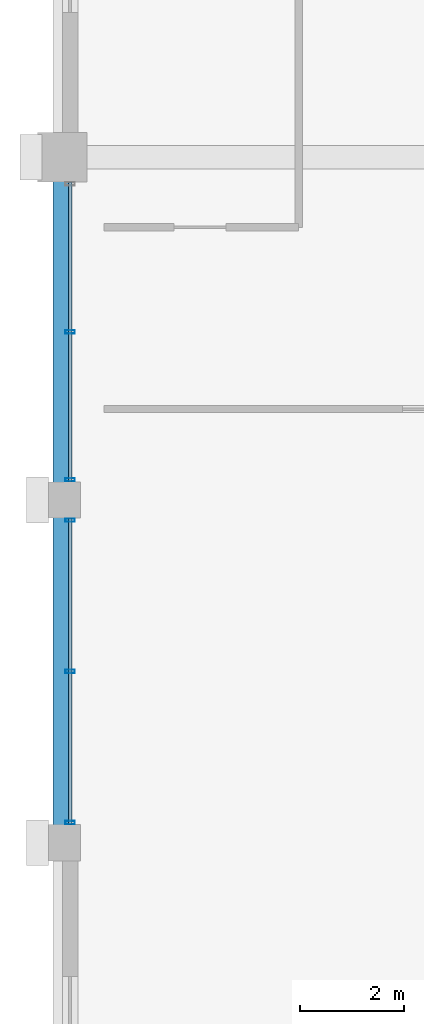
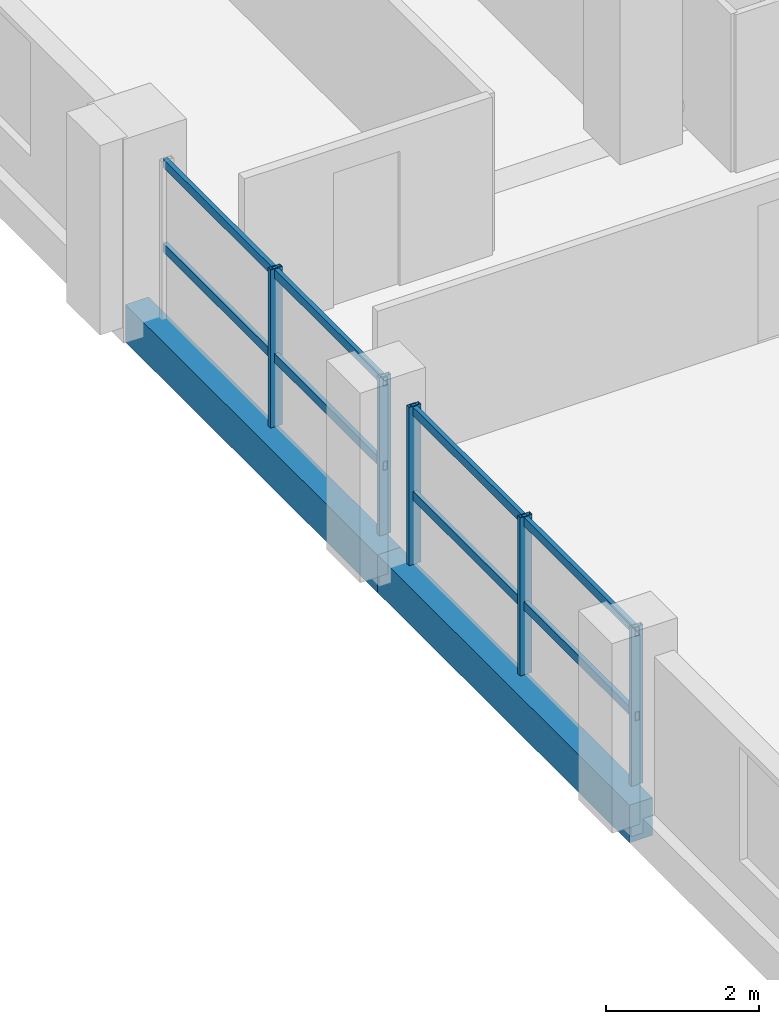
# One storey, part 7 of 25: 9 members, 2 beams, 2 elements without a shape of their own.
"""IFC4 building model written with IfcOpenShell, lengths in metres."""

import ifcopenshell
import ifcopenshell.guid

model = None  # the IFC model being written
_history = None  # IfcOwnerHistory: only IFC2X3 demands one
_inside = {}  # id of a spatial element -> (the spatial element, [elements in it])
_under = {}  # id of a project, library or spatial element -> (it, [spatial elements below it])
_declared = {}  # id of a project -> (the project, [libraries it declares])
_typed = {}  # id of a type object -> (the type object, [elements of that type])
_made_of = {}  # id of a material, layer set ... -> (it, [elements and type objects made of it])


def new_model(schema):
    """Start an empty IFC model of exactly this schema.

    Asked for "IFC4X3", IfcOpenShell would pick the latest addendum, in which some entities
    have other attributes; the version numbers below select the first issue.
    IFC2X3 requires an IfcOwnerHistory on every rooted entity: one is made here for all.
    """
    global model, _history
    if schema == "IFC4X3":
        model = ifcopenshell.file(schema_version=(4, 3, 0, 0))
    else:
        model = ifcopenshell.file(schema=schema)
    _inside.clear()
    _under.clear()
    _declared.clear()
    _typed.clear()
    _made_of.clear()
    _history = None
    if model.schema == "IFC2X3":
        org = make("IfcOrganization", Name="unknown")
        user = make(
            "IfcPersonAndOrganization",
            ThePerson=make("IfcPerson", FamilyName="unknown"),
            TheOrganization=org,
        )
        app = make(
            "IfcApplication",
            ApplicationDeveloper=org,
            Version="unknown",
            ApplicationFullName="unknown",
            ApplicationIdentifier="unknown",
        )
        _history = make(
            "IfcOwnerHistory",
            OwningUser=user,
            OwningApplication=app,
            ChangeAction="ADDED",
            CreationDate=0,
        )
    return model


def make(cls, **values):
    """One entity of the class cls with the attributes given. An attribute that is None is left unset."""
    return model.create_entity(
        cls, **{name: value for name, value in values.items() if value is not None}
    )


def rooted(cls, **values):
    """An entity with a GlobalId (a new one), such as an element, a storey or a relation."""
    return make(cls, GlobalId=ifcopenshell.guid.new(), OwnerHistory=_history, **values)


def si_unit(unit_type, name, prefix=None):
    """IfcSIUnit, for example si_unit("LENGTHUNIT", "METRE", prefix="MILLI")."""
    return make("IfcSIUnit", UnitType=unit_type, Prefix=prefix, Name=name)


def assignment(units):
    """IfcUnitAssignment: the units of a project."""
    return None if units is None else make("IfcUnitAssignment", Units=units)


def point(xyz):
    """IfcCartesianPoint."""
    return None if xyz is None else make("IfcCartesianPoint", Coordinates=xyz)


def direction(xyz):
    """IfcDirection."""
    return None if xyz is None else make("IfcDirection", DirectionRatios=xyz)


def frame(location, z_axis=None, x_axis=None):
    """IfcAxis2Placement3D, a coordinate frame: its origin and axes. An axis left out is left unset."""
    return make(
        "IfcAxis2Placement3D",
        Location=point(location),
        Axis=direction(z_axis),
        RefDirection=direction(x_axis),
    )


def frame_2d(location, x_axis=None):
    """IfcAxis2Placement2D, a coordinate frame in the plane: its origin and x axis."""
    return make(
        "IfcAxis2Placement2D", Location=point(location), RefDirection=direction(x_axis)
    )


def origin():
    """The frame at (0, 0, 0) with its axes left unset."""
    return frame((0.0, 0.0, 0.0))


def origin_2d():
    """The frame at (0, 0) in the plane with its x axis left unset."""
    return frame_2d((0.0, 0.0))


def place(relative_to, where):
    """IfcLocalPlacement: puts the frame where relative to a parent placement (None: the world)."""
    return make(
        "IfcLocalPlacement", PlacementRelTo=relative_to, RelativePlacement=where
    )


def context(
    kind, dimensions, precision=None, world=None, true_north=None, identifier=None
):
    """IfcGeometricRepresentationContext, for example the 3D "Model" context."""
    return make(
        "IfcGeometricRepresentationContext",
        ContextIdentifier=identifier,
        ContextType=kind,
        CoordinateSpaceDimension=dimensions,
        Precision=precision,
        WorldCoordinateSystem=world,
        TrueNorth=true_north,
    )


def subcontext(parent, identifier, kind, view, scale=None):
    """IfcGeometricRepresentationSubContext, for example "Body" below "Model"."""
    return make(
        "IfcGeometricRepresentationSubContext",
        ContextIdentifier=identifier,
        ContextType=kind,
        ParentContext=parent,
        TargetScale=scale,
        TargetView=view,
    )


def project(units=None, contexts=None):
    """IfcProject with its units and contexts."""
    return rooted(
        "IfcProject",
        Name="project",
        RepresentationContexts=contexts,
        UnitsInContext=assignment(units),
    )


def spatial(cls, under=None, at=None, **own):
    """A site, building, storey or space (cls), placed at a placement, below another one or the project."""
    s = rooted(cls, ObjectPlacement=at, **own)
    if under is not None:
        _under.setdefault(under.id(), (under, []))[1].append(s)
    return s


def profile(cls, at=None, kind="AREA", **sizes):
    """A parametric profile (cls). Its sizes go by their IFC names, for example OverallWidth=200.0."""
    return make(cls, ProfileType=kind, Position=at, **sizes)


def rectangle(**sizes):
    """IfcRectangleProfileDef."""
    return profile("IfcRectangleProfileDef", **sizes)


def hollow_rectangle(**sizes):
    """IfcRectangleHollowProfileDef."""
    return profile("IfcRectangleHollowProfileDef", **sizes)


def extrude(swept, where, along, depth):
    """IfcExtrudedAreaSolid: the profile swept, set in the frame where, extruded along a direction by depth."""
    return make(
        "IfcExtrudedAreaSolid",
        SweptArea=swept,
        Position=where,
        ExtrudedDirection=direction(along),
        Depth=depth,
    )


def shape(context_of_items, identifier, shape_type, items):
    """IfcShapeRepresentation: the items that make up one representation, for example the "Body"."""
    return make(
        "IfcShapeRepresentation",
        ContextOfItems=context_of_items,
        RepresentationIdentifier=identifier,
        RepresentationType=shape_type,
        Items=items,
    )


def material(Name=None, Category=None):
    """IfcMaterial."""
    return make("IfcMaterial", Name=Name, Category=Category)


def material_profile(
    of_material, cross_section, Name=None, Category=None, Priority=None
):
    """IfcMaterialProfile: a cross section and its material."""
    return make(
        "IfcMaterialProfile",
        Name=Name,
        Material=of_material,
        Profile=cross_section,
        Priority=Priority,
        Category=Category,
    )


def profile_set(profiles, Name=None, composite=None):
    """IfcMaterialProfileSet."""
    return make(
        "IfcMaterialProfileSet",
        Name=Name,
        MaterialProfiles=profiles,
        CompositeProfile=composite,
    )


def made_of(thing, what):
    """Note that an element or type object is made of a material, layer set ...; save() writes the relation."""
    if what is not None:
        _made_of.setdefault(what.id(), (what, []))[1].append(thing)
    return thing


def type_object(cls, material=None, **own):
    """A type object (cls), such as IfcWallType, which elements share."""
    return made_of(rooted(cls, **own), material)


def element(
    cls,
    number,
    at=None,
    inside=None,
    cuts=None,
    type_object=None,
    material=None,
    context=None,
    identifier="Body",
    shape_type=None,
    held_by="IfcProductDefinitionShape",
    body=None,
    shapes=None,
    **own,
):
    """One element of the class cls, such as IfcWall. Its Tag is "e" and its number.

    at: its placement. inside: the storey or other place that contains it. cuts: it is an
    opening in that element (IfcRelVoidsElement). A single representation is given by context,
    identifier, shape_type and body (its items); several are given by shapes. held_by: the class
    of the entity that holds the representations. save() writes the other relations.
    """
    e = rooted(cls, Tag="e%d" % number, ObjectPlacement=at, **own)
    if body is not None:
        shapes = [shape(context, identifier, shape_type, body)]
    if shapes is not None:
        e.Representation = make(held_by, Representations=shapes)
    if inside is not None:
        _inside.setdefault(inside.id(), (inside, []))[1].append(e)
    if cuts is not None:
        rooted(
            "IfcRelVoidsElement", RelatingBuildingElement=cuts, RelatedOpeningElement=e
        )
    if type_object is not None:
        _typed.setdefault(type_object.id(), (type_object, []))[1].append(e)
    return made_of(e, material)


def aggregate(whole, parts):
    """IfcRelAggregates: a whole, such as a stair, and the parts it consists of."""
    return rooted("IfcRelAggregates", RelatingObject=whole, RelatedObjects=parts)


def save(model, path):
    """Write the relations noted so far, then the file.

    IfcRelAggregates (storeys below a building ...), IfcRelContainedInSpatialStructure (elements
    in a storey), IfcRelDefinesByType, IfcRelAssociatesMaterial and IfcRelDeclares: one each for
    every whole, place, type object, material and project.
    """
    for whole, parts in _under.values():
        aggregate(whole, parts)
    for where, things in _inside.values():
        rooted(
            "IfcRelContainedInSpatialStructure",
            RelatedElements=things,
            RelatingStructure=where,
        )
    for kind, things in _typed.values():
        rooted("IfcRelDefinesByType", RelatedObjects=things, RelatingType=kind)
    for what, things in _made_of.values():
        rooted("IfcRelAssociatesMaterial", RelatedObjects=things, RelatingMaterial=what)
    for by, libraries in _declared.values():
        rooted("IfcRelDeclares", RelatingContext=by, RelatedDefinitions=libraries)
    model.write(path)


model = new_model("IFC4")

# Units and contexts
model_context = context("Model", 3, precision=1e-05, world=origin(), true_north=direction((0.0, 1.0)))
body_context = subcontext(model_context, "Body", "Model", "MODEL_VIEW")
ifc_project = project(units=[si_unit("LENGTHUNIT", "METRE"), si_unit("AREAUNIT", "SQUARE_METRE"), si_unit("VOLUMEUNIT", "CUBIC_METRE"), si_unit("PLANEANGLEUNIT", "RADIAN"), si_unit("MASSUNIT", "GRAM", prefix="KILO")], contexts=[model_context])

# Site, building, storey
site_placement = place(None, origin())
site = spatial("IfcSite", under=ifc_project, at=site_placement, CompositionType="ELEMENT")
building_placement = place(site_placement, origin())
building = spatial("IfcBuilding", under=site, at=building_placement, Name="Akrevak Sports Hall", CompositionType="ELEMENT")
storey_placement = place(building_placement, frame((0.0, 0.0, 50.300048828125)))
storey = spatial("IfcBuildingStorey", under=building, at=storey_placement, Name="L12", CompositionType="ELEMENT", Elevation=50.300048828125)

# Curtain wall, members
ifc_material_1 = material(Name="Anodized Bronze Aluminium & Low-E Glass", Category="aluminium")
curtain_wall_type = type_object("IfcCurtainWallType", Name="ARC-CW-TWR-72x30", PredefinedType="NOTDEFINED", material=ifc_material_1)
curtain_wall_1_placement = place(storey_placement, origin())
curtain_wall_1 = element("IfcCurtainWall", 1, at=curtain_wall_1_placement, inside=storey, type_object=curtain_wall_type, Name="Curtain Wall CW-L12-W30", PredefinedType="NOTDEFINED")
ifc_material_2 = material(Name="Anodized Bronze Aluminium", Category="aluminium")
ifc_material_profile_1 = material_profile(ifc_material_2, hollow_rectangle(XDim=0.06494140625, YDim=0.179931640625, WallThickness=0.00390625, at=origin_2d()), Name="CWM 65x180", Category="aluminium")
ifc_profile_set_1 = profile_set([ifc_material_profile_1], Name="Anodized Bronze Aluminium")
member_type_1 = type_object("IfcMemberType", Name="ARC-CWM-65x140", PredefinedType="MULLION", material=ifc_profile_set_1)
member_1_placement = place(storey_placement, frame((52.64990234375, 51.83740234375, 0.0), z_axis=(0.0, 0.0, 1.0), x_axis=(0.0, -1.0, 0.0)))
member_1 = element("IfcMember", 2, at=member_1_placement, type_object=member_type_1, Name="Curtain Wall Mullion CW-L12-W30-M2", PredefinedType="MULLION", context=body_context, shape_type="SweptSolid", body=[
    extrude(hollow_rectangle(XDim=0.06494140625, YDim=0.179931640625, WallThickness=0.00390625, at=origin_2d()), origin(), (0.0, 0.0, 1.0), 2.530029296875),
])
member_2_placement = place(storey_placement, frame((52.64990234375, 48.989990234375, 0.0), z_axis=(0.0, 0.0, 1.0), x_axis=(0.0, -1.0, 0.0)))
member_2 = element("IfcMember", 3, at=member_2_placement, type_object=member_type_1, Name="Curtain Wall Mullion CW-L12-W30-M3", PredefinedType="MULLION", context=body_context, shape_type="SweptSolid", body=[
    extrude(hollow_rectangle(XDim=0.06494140625, YDim=0.179931640625, WallThickness=0.00390625, at=origin_2d()), origin(), (0.0, 0.0, 1.0), 2.530029296875),
])

curtain_wall_2_placement = place(storey_placement, origin())
curtain_wall_2 = element("IfcCurtainWall", 4, at=curtain_wall_2_placement, inside=storey, type_object=curtain_wall_type, Name="Curtain Wall CW-L12-W31", PredefinedType="NOTDEFINED")
member_3_placement = place(storey_placement, frame((52.64990234375, 48.2099609375, 0.0), z_axis=(0.0, 0.0, 1.0), x_axis=(0.0, -1.0, 0.0)))
member_3 = element("IfcMember", 5, at=member_3_placement, type_object=member_type_1, Name="Curtain Wall Mullion CW-L12-W31-M1", PredefinedType="MULLION", context=body_context, shape_type="SweptSolid", body=[
    extrude(hollow_rectangle(XDim=0.06494140625, YDim=0.179931640625, WallThickness=0.00390625, at=origin_2d()), origin(), (0.0, 0.0, 1.0), 2.530029296875),
])
member_4_placement = place(storey_placement, frame((52.64990234375, 45.300048828125, 0.0), z_axis=(0.0, 0.0, 1.0), x_axis=(0.0, -1.0, 0.0)))
member_4 = element("IfcMember", 6, at=member_4_placement, type_object=member_type_1, Name="Curtain Wall Mullion CW-L12-W31-M2", PredefinedType="MULLION", context=body_context, shape_type="SweptSolid", body=[
    extrude(hollow_rectangle(XDim=0.06494140625, YDim=0.179931640625, WallThickness=0.00390625, at=origin_2d()), origin(), (0.0, 0.0, 1.0), 2.530029296875),
])
member_5_placement = place(storey_placement, frame((52.64990234375, 42.389892578125, 0.0), z_axis=(0.0, 0.0, 1.0), x_axis=(0.0, -1.0, 0.0)))
member_5 = element("IfcMember", 7, at=member_5_placement, type_object=member_type_1, Name="Curtain Wall Mullion CW-L12-W31-M3", PredefinedType="MULLION", context=body_context, shape_type="SweptSolid", body=[
    extrude(hollow_rectangle(XDim=0.06494140625, YDim=0.179931640625, WallThickness=0.00390625, at=origin_2d()), origin(), (0.0, 0.0, 1.0), 2.530029296875),
])

# Member
ifc_material_profile_2 = material_profile(ifc_material_2, hollow_rectangle(XDim=0.06494140625, YDim=0.139892578125, WallThickness=0.00390625, at=origin_2d()), Name="CWT 65x140", Category="aluminium")
ifc_profile_set_2 = profile_set([ifc_material_profile_2], Name="Anodized Bronze Aluminium")
member_type_2 = type_object("IfcMemberType", Name="ARC-CWT-65x110", PredefinedType="USERDEFINED", material=ifc_profile_set_2)
member_6_placement = place(storey_placement, frame((52.64990234375, 54.72509765625, 1.099853515625), z_axis=(0.0, -1.0, 0.0), x_axis=(1.0, 0.0, 0.0)))
member_6 = element("IfcMember", 8, at=member_6_placement, type_object=member_type_2, Name="Curtain Wall Transom CW-L12-W30-T1", ObjectType="TRANSOM", PredefinedType="USERDEFINED", context=body_context, shape_type="SweptSolid", body=[
    extrude(hollow_rectangle(XDim=0.06494140625, YDim=0.139892578125, WallThickness=0.00390625, at=origin_2d()), origin(), (0.0, 0.0, 1.0), 5.775146484375),
])

member_7_placement = place(storey_placement, frame((52.64990234375, 54.72509765625, 2.449951171875), z_axis=(0.0, -1.0, 0.0), x_axis=(1.0, 0.0, 0.0)))
member_7 = element("IfcMember", 9, at=member_7_placement, type_object=member_type_2, Name="Curtain Wall Transom CW-L12-W30-T2", ObjectType="TRANSOM", PredefinedType="USERDEFINED", context=body_context, shape_type="SweptSolid", body=[
    extrude(hollow_rectangle(XDim=0.06494140625, YDim=0.139892578125, WallThickness=0.00390625, at=origin_2d()), origin(), (0.0, 0.0, 1.0), 5.775146484375),
])

aggregate(curtain_wall_1, [member_1, member_2, member_6, member_7])

member_8_placement = place(storey_placement, frame((52.64990234375, 48.25, 1.099853515625), z_axis=(0.0, -1.0, 0.0), x_axis=(1.0, 0.0, 0.0)))
member_8 = element("IfcMember", 10, at=member_8_placement, type_object=member_type_2, Name="Curtain Wall Transom CW-L12-W31-T1", ObjectType="TRANSOM", PredefinedType="USERDEFINED", context=body_context, shape_type="SweptSolid", body=[
    extrude(hollow_rectangle(XDim=0.06494140625, YDim=0.139892578125, WallThickness=0.00390625, at=origin_2d()), origin(), (0.0, 0.0, 1.0), 5.89990234375),
])

member_9_placement = place(storey_placement, frame((52.64990234375, 48.25, 2.449951171875), z_axis=(0.0, -1.0, 0.0), x_axis=(1.0, 0.0, 0.0)))
member_9 = element("IfcMember", 11, at=member_9_placement, type_object=member_type_2, Name="Curtain Wall Transom CW-L12-W31-T2", ObjectType="TRANSOM", PredefinedType="USERDEFINED", context=body_context, shape_type="SweptSolid", body=[
    extrude(hollow_rectangle(XDim=0.06494140625, YDim=0.139892578125, WallThickness=0.00390625, at=origin_2d()), origin(), (0.0, 0.0, 1.0), 5.89990234375),
])

aggregate(curtain_wall_2, [member_3, member_4, member_5, member_8, member_9])

# Beams
ifc_material_3 = material(Name="Concrete C40/50", Category="concrete")
ifc_material_profile_3 = material_profile(ifc_material_3, rectangle(XDim=0.35009765625, YDim=0.60009765625, at=origin_2d()), Name="BM 350x600", Category="concrete")
ifc_profile_set_3 = profile_set([ifc_material_profile_3], Name="Concrete C40/50")
beam_type = type_object("IfcBeamType", Name="STR-BM-RC350x600", PredefinedType="BEAM", material=ifc_profile_set_3)
beam_1_placement = place(storey_placement, frame((52.5, 42.0, -0.300048828125), z_axis=(0.0, 1.0, 0.0), x_axis=(-1.0, 0.0, 0.0)))
element("IfcBeam", 12, at=beam_1_placement, inside=storey, type_object=beam_type, Name="Girder 8/G-H (L12)", PredefinedType="BEAM", context=body_context, shape_type="SweptSolid", body=[
    extrude(rectangle(XDim=0.35009765625, YDim=0.60009765625, at=origin_2d()), origin(), (0.0, 0.0, 1.0), 6.60009765625),
])
beam_2_placement = place(storey_placement, frame((52.5, 48.60009765625, -0.300048828125), z_axis=(0.0, 1.0, 0.0), x_axis=(-1.0, 0.0, 0.0)))
element("IfcBeam", 13, at=beam_2_placement, inside=storey, type_object=beam_type, Name="Girder 8/H-I (L12)", PredefinedType="BEAM", context=body_context, shape_type="SweptSolid", body=[
    extrude(rectangle(XDim=0.35009765625, YDim=0.60009765625, at=origin_2d()), origin(), (0.0, 0.0, 1.0), 6.599853515625),
])

save(model, "model.ifc")
